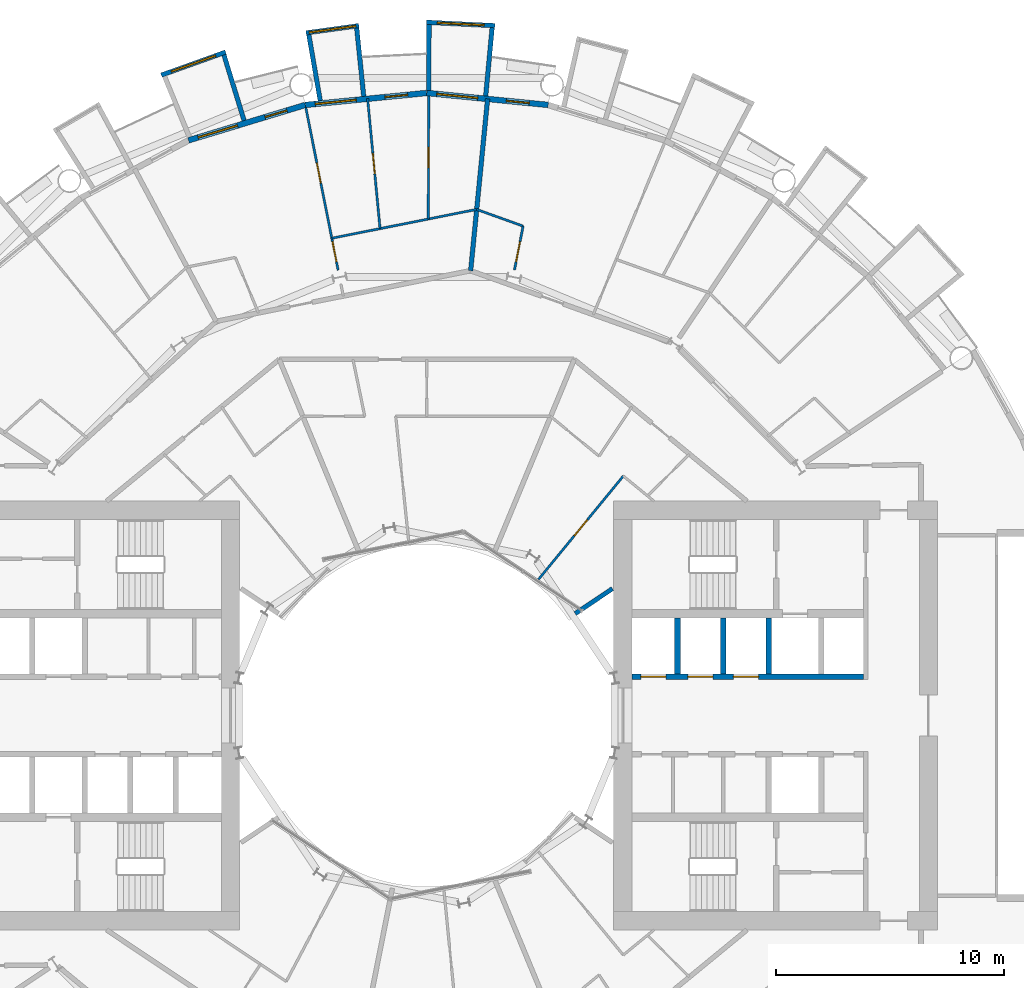
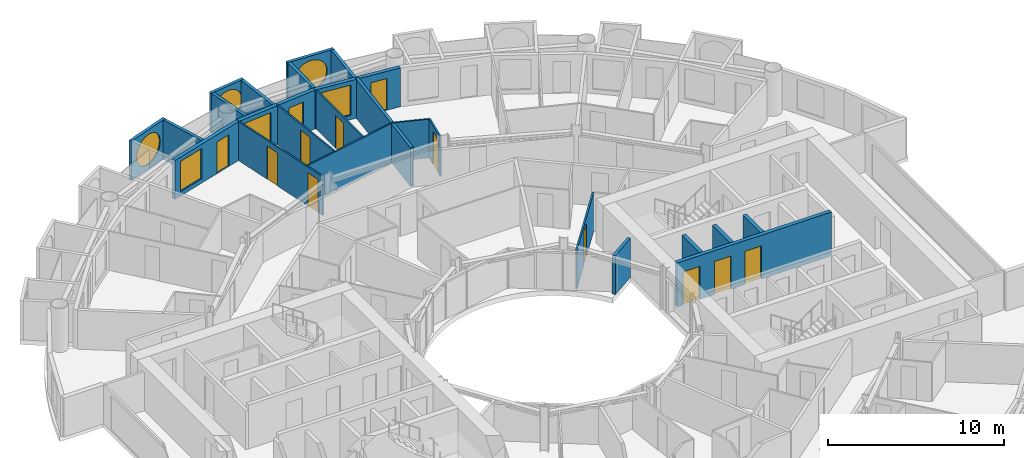
# One storey, part 20 of 26: 24 walls, 12 doors, 6 windows, 18 openings.
"""IFC4 building model written with IfcOpenShell, lengths in metres."""

from ifc_helpers import new_model, si_unit, direction, frame, frame_2d, origin, place, context, subcontext, project, spatial, rectangle, circle, extrude, material, layer, layer_set, type_object, element, fill, save


model = new_model("IFC4")

# Units and contexts
model_context = context("Model", 3, precision=1e-05, world=origin(), true_north=direction((0.0, 1.0)))
body_context = subcontext(model_context, "Body", "Model", "MODEL_VIEW")
ifc_project = project(units=[si_unit("LENGTHUNIT", "METRE"), si_unit("AREAUNIT", "SQUARE_METRE"), si_unit("VOLUMEUNIT", "CUBIC_METRE"), si_unit("PLANEANGLEUNIT", "RADIAN"), si_unit("MASSUNIT", "GRAM", prefix="KILO")], contexts=[model_context])

# Site, building, storey
site_placement = place(None, origin())
site = spatial("IfcSite", under=ifc_project, at=site_placement, CompositionType="ELEMENT")
building_placement = place(site_placement, origin())
building = spatial("IfcBuilding", under=site, at=building_placement, Name="Maasbend Ring Residences", CompositionType="ELEMENT")
storey_placement = place(building_placement, frame((0.0, 0.0, 38.050048828125)))
storey = spatial("IfcBuildingStorey", under=building, at=storey_placement, Name="L10", CompositionType="ELEMENT", Elevation=38.050048828125)

# Wall, openings, doors
ifc_material_1 = material(Name="Concrete C70/85", Category="concrete")
ifc_layer_1 = layer(ifc_material_1, 0.25)
ifc_layer_set_1 = layer_set([ifc_layer_1], Name="Concrete C70/85")
wall_type_1 = type_object("IfcWallType", Name="CORE WALL 250 C70/85", PredefinedType="SHEAR", material=ifc_layer_set_1)
wall_1_placement = place(storey_placement, frame((9.0, 1.699951171875, 0.0), z_axis=(0.0, 0.0, 1.0), x_axis=(1.0, 0.0, 0.0)))
wall_1 = element("IfcWall", 1, at=wall_1_placement, inside=storey, type_object=wall_type_1, Name="L10 core E wall SPN", PredefinedType="SHEAR", context=body_context, shape_type="SweptSolid", body=[
    extrude(rectangle(XDim=10.14990234375, YDim=0.25, at=frame_2d((5.074951171875, 0.0))), origin(), (0.0, 0.0, 1.0), 3.050048828125),
])
opening_1_placement = place(wall_1_placement, frame((0.387451171875, 0.0, 0.0)))
opening_1 = element("IfcOpeningElement", 2, at=opening_1_placement, cuts=wall_1, Name="Opening LD-E1001", PredefinedType="OPENING", context=body_context, shape_type="SweptSolid", body=[
    extrude(rectangle(XDim=1.10009765625, YDim=2.300048828125, at=frame_2d((0.550048828125, 1.14990234375))), frame((0.0, 0.135009765625, 0.0), z_axis=(0.0, -1.0, 0.0), x_axis=(1.0, 0.0, 0.0)), (0.0, 0.0, 1.0), 0.27001953125),
])
opening_2_placement = place(wall_1_placement, frame((2.449951171875, 0.0, 0.0)))
opening_2 = element("IfcOpeningElement", 3, at=opening_2_placement, cuts=wall_1, Name="Opening LD-E1002", PredefinedType="OPENING", context=body_context, shape_type="SweptSolid", body=[
    extrude(rectangle(XDim=1.10009765625, YDim=2.300048828125, at=frame_2d((0.550048828125, 1.14990234375))), frame((0.0, 0.135009765625, 0.0), z_axis=(0.0, -1.0, 0.0), x_axis=(1.0, 0.0, 0.0)), (0.0, 0.0, 1.0), 0.27001953125),
])
opening_3_placement = place(wall_1_placement, frame((4.449951171875, 0.0, 0.0)))
opening_3 = element("IfcOpeningElement", 4, at=opening_3_placement, cuts=wall_1, Name="Opening LD-E1003", PredefinedType="OPENING", context=body_context, shape_type="SweptSolid", body=[
    extrude(rectangle(XDim=1.10009765625, YDim=2.300048828125, at=frame_2d((0.550048828125, 1.14990234375))), frame((0.0, 0.135009765625, 0.0), z_axis=(0.0, -1.0, 0.0), x_axis=(1.0, 0.0, 0.0)), (0.0, 0.0, 1.0), 0.27001953125),
])
ifc_material_2 = material(Name="Stainless steel 316", Category="steel")
door_type_1 = type_object("IfcDoorType", Name="LANDING DOOR 1100 X 2300 FD60", OperationType="DOUBLE_DOOR_SLIDING", PredefinedType="DOOR", material=ifc_material_2)
door_1_placement = place(opening_1_placement, origin())
door_1 = element("IfcDoor", 5, at=door_1_placement, inside=storey, type_object=door_type_1, Name="Landing door LR-E1 L10", OperationType="DOUBLE_DOOR_SLIDING", OverallHeight=2.300048828125, OverallWidth=1.10009765625, PredefinedType="DOOR", context=body_context, shape_type="SweptSolid", body=[
    extrude(rectangle(XDim=1.10009765625, YDim=2.300048828125, at=frame_2d((0.550048828125, 1.14990234375))), frame((0.0, 0.02490234375, 0.0), z_axis=(0.0, -1.0, 0.0), x_axis=(1.0, 0.0, 0.0)), (0.0, 0.0, 1.0), 0.050048828125),
])
fill(opening_1, door_1)
door_2_placement = place(opening_2_placement, origin())
door_2 = element("IfcDoor", 6, at=door_2_placement, inside=storey, type_object=door_type_1, Name="Landing door LR-E2 L10", OperationType="DOUBLE_DOOR_SLIDING", OverallHeight=2.300048828125, OverallWidth=1.10009765625, PredefinedType="DOOR", context=body_context, shape_type="SweptSolid", body=[
    extrude(rectangle(XDim=1.10009765625, YDim=2.300048828125, at=frame_2d((0.550048828125, 1.14990234375))), frame((0.0, 0.02490234375, 0.0), z_axis=(0.0, -1.0, 0.0), x_axis=(1.0, 0.0, 0.0)), (0.0, 0.0, 1.0), 0.050048828125),
])
fill(opening_2, door_2)
door_3_placement = place(opening_3_placement, origin())
door_3 = element("IfcDoor", 7, at=door_3_placement, inside=storey, type_object=door_type_1, Name="Landing door LR-E3 L10", OperationType="DOUBLE_DOOR_SLIDING", OverallHeight=2.300048828125, OverallWidth=1.10009765625, PredefinedType="DOOR", context=body_context, shape_type="SweptSolid", body=[
    extrude(rectangle(XDim=1.10009765625, YDim=2.300048828125, at=frame_2d((0.550048828125, 1.14990234375))), frame((0.0, 0.02490234375, 0.0), z_axis=(0.0, -1.0, 0.0), x_axis=(1.0, 0.0, 0.0)), (0.0, 0.0, 1.0), 0.050048828125),
])
fill(opening_3, door_3)

# Wall, opening, window
ifc_material_3 = material(Name="Pale anodised aluminium panel", Category="aluminium")
ifc_layer_2 = layer(ifc_material_3, 0.199951171875)
ifc_layer_set_2 = layer_set([ifc_layer_2], Name="EW-BOX")
wall_type_2 = type_object("IfcWallType", Name="EW-BOX", PredefinedType="SOLIDWALL", material=ifc_layer_set_2)
wall_2_placement = place(storey_placement, frame((2.985107421875, 30.2529296875, -0.030029296875), z_axis=(0.0, 0.0, 1.0), x_axis=(-0.998794083011, 0.049095618353, 0.0)))
wall_2 = element("IfcWall", 8, at=wall_2_placement, inside=storey, type_object=wall_type_2, Name="Box front N10", PredefinedType="SOLIDWALL", context=body_context, shape_type="SweptSolid", body=[
    extrude(rectangle(XDim=2.99365234375, YDim=0.199951171875, at=frame_2d((1.496826171875, 0.0))), origin(), (0.0, 0.0, 1.0), 2.72998046875),
])
opening_4_placement = place(wall_2_placement, frame((0.45654296875, 0.0, 0.330078125)))
opening_4 = element("IfcOpeningElement", 9, at=opening_4_placement, cuts=wall_2, Name="Opening W-RD", PredefinedType="OPENING", context=body_context, shape_type="SweptSolid", body=[
    extrude(circle(Radius=1.0400390625, at=frame_2d((1.0400390625, 1.0400390625))), frame((0.0, 0.10986328125, 0.0), z_axis=(0.0, -1.0, 0.0), x_axis=(1.0, 0.0, 0.0)), (0.0, 0.0, 1.0), 0.219970703125),
])
ifc_material_4 = material(Name="Aluminium and clear glass", Category="aluminium")
window_type_1 = type_object("IfcWindowType", Name="W-RD", PartitioningType="SINGLE_PANEL", PredefinedType="WINDOW", material=ifc_material_4)
window_1_placement = place(opening_4_placement, origin())
window_1 = element("IfcWindow", 10, at=window_1_placement, inside=storey, type_object=window_type_1, Name="Round window N10", OverallHeight=2.080078125, OverallWidth=2.080078125, PartitioningType="SINGLE_PANEL", PredefinedType="WINDOW", context=body_context, shape_type="SweptSolid", body=[
    extrude(circle(Radius=1.0400390625, at=frame_2d((1.0400390625, 1.0400390625))), frame((0.0, 0.030029296875, 0.0), z_axis=(0.0, -1.0, 0.0), x_axis=(1.0, 0.0, 0.0)), (0.0, 0.0, 1.0), 0.06005859375),
])
fill(opening_4, window_1)

# Walls
wall_3_placement = place(storey_placement, frame((2.5859375, 27.1708984375, -0.030029296875), z_axis=(0.0, 0.0, 1.0), x_axis=(0.094548432284, 0.995520262954, 0.0)))
element("IfcWall", 11, at=wall_3_placement, inside=storey, type_object=wall_type_2, Name="Box side wall N10 left", PredefinedType="SOLIDWALL", context=body_context, shape_type="SweptSolid", body=[
    extrude(rectangle(XDim=3.005615234375, YDim=0.199951171875, at=frame_2d((1.5029296875, 0.0))), origin(), (0.0, 0.0, 1.0), 2.72998046875),
])
wall_4_placement = place(storey_placement, frame((0.090087890625, 27.4169921875, -0.030029296875), z_axis=(0.0, 0.0, 1.0), x_axis=(0.00347308367, 0.999993968827, 0.0)))
element("IfcWall", 12, at=wall_4_placement, inside=storey, type_object=wall_type_2, Name="Box side wall N10 right", PredefinedType="SOLIDWALL", context=body_context, shape_type="SweptSolid", body=[
    extrude(rectangle(XDim=2.882080078125, YDim=0.199951171875, at=frame_2d((1.44091796875, 0.0))), origin(), (0.0, 0.0, 1.0), 2.72998046875),
])

# Wall, opening, window
wall_5_placement = place(storey_placement, frame((-2.97607421875, 30.25390625, -0.030029296875), z_axis=(0.0, 0.0, 1.0), x_axis=(-0.990696111261, -0.136092671119, 0.0)))
wall_5 = element("IfcWall", 13, at=wall_5_placement, inside=storey, type_object=wall_type_2, Name="Box front N12", PredefinedType="SOLIDWALL", context=body_context, shape_type="SweptSolid", body=[
    extrude(rectangle(XDim=2.335693359375, YDim=0.199951171875, at=frame_2d((1.16796875, 0.0))), origin(), (0.0, 0.0, 1.0), 2.72998046875),
])
opening_5_placement = place(wall_5_placement, frame((0.128173828125, 0.0, 0.330078125)))
opening_5 = element("IfcOpeningElement", 14, at=opening_5_placement, cuts=wall_5, Name="Opening W-RD", PredefinedType="OPENING", context=body_context, shape_type="SweptSolid", body=[
    extrude(circle(Radius=1.0400390625, at=frame_2d((1.0400390625, 1.0400390625))), frame((0.0, 0.10986328125, 0.0), z_axis=(0.0, -1.0, 0.0), x_axis=(1.0, 0.0, 0.0)), (0.0, 0.0, 1.0), 0.219970703125),
])
window_2_placement = place(opening_5_placement, origin())
window_2 = element("IfcWindow", 15, at=window_2_placement, inside=storey, type_object=window_type_1, Name="Round window N12", OverallHeight=2.080078125, OverallWidth=2.080078125, PartitioningType="SINGLE_PANEL", PredefinedType="WINDOW", context=body_context, shape_type="SweptSolid", body=[
    extrude(circle(Radius=1.0400390625, at=frame_2d((1.0400390625, 1.0400390625))), frame((0.0, 0.030029296875, 0.0), z_axis=(0.0, -1.0, 0.0), x_axis=(1.0, 0.0, 0.0)), (0.0, 0.0, 1.0), 0.06005859375),
])
fill(opening_5, window_2)

# Walls
wall_6_placement = place(storey_placement, frame((-2.763916015625, 27.153076171875, -0.030029296875), z_axis=(0.0, 0.0, 1.0), x_axis=(-0.101505487237, 0.994834979311, 0.0)))
element("IfcWall", 16, at=wall_6_placement, inside=storey, type_object=wall_type_2, Name="Box side wall N12 left", PredefinedType="SOLIDWALL", context=body_context, shape_type="SweptSolid", body=[
    extrude(rectangle(XDim=3.006591796875, YDim=0.199951171875, at=frame_2d((1.50341796875, 0.0))), origin(), (0.0, 0.0, 1.0), 2.72998046875),
])
wall_7_placement = place(storey_placement, frame((-4.6708984375, 26.966064453125, -0.030029296875), z_axis=(0.0, 0.0, 1.0), x_axis=(-0.170539878907, 0.985350774954, 0.0)))
element("IfcWall", 17, at=wall_7_placement, inside=storey, type_object=wall_type_2, Name="Box side wall N12 right", PredefinedType="SOLIDWALL", context=body_context, shape_type="SweptSolid", body=[
    extrude(rectangle(XDim=2.931884765625, YDim=0.199951171875, at=frame_2d((1.4658203125, 0.0))), origin(), (0.0, 0.0, 1.0), 2.72998046875),
])

# Wall, opening, window
wall_8_placement = place(storey_placement, frame((-8.820068359375, 29.093017578125, -0.030029296875), z_axis=(0.0, 0.0, 1.0), x_axis=(-0.941461077774, -0.337121697664, 0.0)))
wall_8 = element("IfcWall", 18, at=wall_8_placement, inside=storey, type_object=wall_type_2, Name="Box front N14", PredefinedType="SOLIDWALL", context=body_context, shape_type="SweptSolid", body=[
    extrude(rectangle(XDim=2.9931640625, YDim=0.199951171875, at=frame_2d((1.49658203125, 0.0))), origin(), (0.0, 0.0, 1.0), 2.72998046875),
])
opening_6_placement = place(wall_8_placement, frame((0.45654296875, 0.0, 0.330078125)))
opening_6 = element("IfcOpeningElement", 19, at=opening_6_placement, cuts=wall_8, Name="Opening W-RD", PredefinedType="OPENING", context=body_context, shape_type="SweptSolid", body=[
    extrude(circle(Radius=1.0400390625, at=frame_2d((1.0400390625, 1.0400390625))), frame((0.0, 0.10986328125, 0.0), z_axis=(0.0, -1.0, 0.0), x_axis=(1.0, 0.0, 0.0)), (0.0, 0.0, 1.0), 0.219970703125),
])
window_3_placement = place(opening_6_placement, origin())
window_3 = element("IfcWindow", 20, at=window_3_placement, inside=storey, type_object=window_type_1, Name="Round window N14", OverallHeight=2.080078125, OverallWidth=2.080078125, PartitioningType="SINGLE_PANEL", PredefinedType="WINDOW", context=body_context, shape_type="SweptSolid", body=[
    extrude(circle(Radius=1.0400390625, at=frame_2d((1.0400390625, 1.0400390625))), frame((0.0, 0.030029296875, 0.0), z_axis=(0.0, -1.0, 0.0), x_axis=(1.0, 0.0, 0.0)), (0.0, 0.0, 1.0), 0.06005859375),
])
fill(opening_6, window_3)

# Wall
wall_9_placement = place(storey_placement, frame((-8.009033203125, 26.092041015625, -0.030029296875), z_axis=(0.0, 0.0, 1.0), x_axis=(-0.293406695073, 0.955987715029, 0.0)))
element("IfcWall", 21, at=wall_9_placement, inside=storey, type_object=wall_type_2, Name="Box side wall N14 left", PredefinedType="SOLIDWALL", context=body_context, shape_type="SweptSolid", body=[
    extrude(rectangle(XDim=3.00634765625, YDim=0.199951171875, at=frame_2d((1.503173828125, 0.0))), origin(), (0.0, 0.0, 1.0), 2.72998046875),
])

# Wall, openings, door, window
ifc_material_5 = material(Name="Aluminium clad insulated panel", Category="aluminium")
ifc_layer_3 = layer(ifc_material_5, 0.25)
ifc_layer_set_3 = layer_set([ifc_layer_3], Name="EW-GL")
wall_type_3 = type_object("IfcWallType", Name="EW-GL", PredefinedType="SOLIDWALL", material=ifc_layer_set_3)
wall_10_placement = place(storey_placement, frame((5.325927734375, 26.77490234375, 0.0), z_axis=(0.0, 0.0, 1.0), x_axis=(-0.995173996315, 0.098126026407, 0.0)))
wall_10 = element("IfcWall", 22, at=wall_10_placement, inside=storey, type_object=wall_type_3, Name="External wall N05", PredefinedType="SOLIDWALL", context=body_context, shape_type="SweptSolid", body=[
    extrude(rectangle(XDim=5.351806640625, YDim=0.25, at=frame_2d((2.67578125, 0.0))), origin(), (0.0, 0.0, 1.0), 2.699951171875),
])
opening_7_placement = place(wall_10_placement, frame((0.841064453125, 0.0, 0.0)))
opening_7 = element("IfcOpeningElement", 23, at=opening_7_placement, cuts=wall_10, Name="Opening D-LG", PredefinedType="OPENING", context=body_context, shape_type="SweptSolid", body=[
    extrude(rectangle(XDim=1.0, YDim=2.199951171875, at=frame_2d((0.5, 1.10009765625))), frame((0.0, 0.135009765625, 0.0), z_axis=(0.0, -1.0, 0.0), x_axis=(1.0, 0.0, 0.0)), (0.0, 0.0, 1.0), 0.27001953125),
])
opening_8_placement = place(wall_10_placement, frame((3.110595703125, 0.0, 0.300048828125)))
opening_8 = element("IfcOpeningElement", 24, at=opening_8_placement, cuts=wall_10, Name="Opening W-BX", PredefinedType="OPENING", context=body_context, shape_type="SweptSolid", body=[
    extrude(rectangle(XDim=1.800048828125, YDim=2.10009765625, at=frame_2d((0.89990234375, 1.050048828125))), frame((0.0, 0.135009765625, 0.0), z_axis=(0.0, -1.0, 0.0), x_axis=(1.0, 0.0, 0.0)), (0.0, 0.0, 1.0), 0.27001953125),
])
ifc_material_6 = material(Name="Aluminium and clear glass", Category="aluminium")
door_type_2 = type_object("IfcDoorType", Name="D-LG", OperationType="SINGLE_SWING_LEFT", PredefinedType="DOOR", material=ifc_material_6)
door_4_placement = place(opening_7_placement, origin())
door_4 = element("IfcDoor", 25, at=door_4_placement, inside=storey, type_object=door_type_2, Name="Loggia door N09", OperationType="SINGLE_SWING_LEFT", OverallHeight=2.199951171875, OverallWidth=1.0, PredefinedType="DOOR", context=body_context, shape_type="SweptSolid", body=[
    extrude(rectangle(XDim=1.0, YDim=2.199951171875, at=frame_2d((0.5, 1.10009765625))), frame((0.0, 0.02490234375, 0.0), z_axis=(0.0, -1.0, 0.0), x_axis=(1.0, 0.0, 0.0)), (0.0, 0.0, 1.0), 0.050048828125),
])
fill(opening_7, door_4)
ifc_material_7 = material(Name="Aluminium and clear glass", Category="aluminium")
window_type_2 = type_object("IfcWindowType", Name="W-BX", PartitioningType="DOUBLE_PANEL_VERTICAL", PredefinedType="WINDOW", material=ifc_material_7)
window_4_placement = place(opening_8_placement, origin())
window_4 = element("IfcWindow", 26, at=window_4_placement, inside=storey, type_object=window_type_2, Name="Window N10 room to box", OverallHeight=2.10009765625, OverallWidth=1.800048828125, PartitioningType="SINGLE_PANEL", PredefinedType="WINDOW", context=body_context, shape_type="SweptSolid", body=[
    extrude(rectangle(XDim=1.800048828125, YDim=2.10009765625, at=frame_2d((0.89990234375, 1.050048828125))), frame((0.0, 0.030029296875, 0.0), z_axis=(0.0, -1.0, 0.0), x_axis=(1.0, 0.0, 0.0)), (0.0, 0.0, 1.0), 0.06005859375),
])
fill(opening_8, window_4)

wall_11_placement = place(storey_placement, frame((0.0, 27.300048828125, 0.0), z_axis=(0.0, 0.0, 1.0), x_axis=(-0.995173996315, -0.098126026407, 0.0)))
wall_11 = element("IfcWall", 27, at=wall_11_placement, inside=storey, type_object=wall_type_3, Name="External wall N06", PredefinedType="SOLIDWALL", context=body_context, shape_type="SweptSolid", body=[
    extrude(rectangle(XDim=5.351806640625, YDim=0.25, at=frame_2d((2.67578125, 0.0))), origin(), (0.0, 0.0, 1.0), 2.699951171875),
])
opening_9_placement = place(wall_11_placement, frame((0.841064453125, 0.0, 0.0)))
opening_9 = element("IfcOpeningElement", 28, at=opening_9_placement, cuts=wall_11, Name="Opening D-LG", PredefinedType="OPENING", context=body_context, shape_type="SweptSolid", body=[
    extrude(rectangle(XDim=1.0, YDim=2.199951171875, at=frame_2d((0.5, 1.10009765625))), frame((0.0, 0.135009765625, 0.0), z_axis=(0.0, -1.0, 0.0), x_axis=(1.0, 0.0, 0.0)), (0.0, 0.0, 1.0), 0.27001953125),
])
opening_10_placement = place(wall_11_placement, frame((3.110595703125, 0.0, 0.300048828125)))
opening_10 = element("IfcOpeningElement", 29, at=opening_10_placement, cuts=wall_11, Name="Opening W-BX", PredefinedType="OPENING", context=body_context, shape_type="SweptSolid", body=[
    extrude(rectangle(XDim=1.800048828125, YDim=2.10009765625, at=frame_2d((0.89990234375, 1.050048828125))), frame((0.0, 0.135009765625, 0.0), z_axis=(0.0, -1.0, 0.0), x_axis=(1.0, 0.0, 0.0)), (0.0, 0.0, 1.0), 0.27001953125),
])
door_5_placement = place(opening_9_placement, origin())
door_5 = element("IfcDoor", 30, at=door_5_placement, inside=storey, type_object=door_type_2, Name="Loggia door N11", OperationType="SINGLE_SWING_LEFT", OverallHeight=2.199951171875, OverallWidth=1.0, PredefinedType="DOOR", context=body_context, shape_type="SweptSolid", body=[
    extrude(rectangle(XDim=1.0, YDim=2.199951171875, at=frame_2d((0.5, 1.10009765625))), frame((0.0, 0.02490234375, 0.0), z_axis=(0.0, -1.0, 0.0), x_axis=(1.0, 0.0, 0.0)), (0.0, 0.0, 1.0), 0.050048828125),
])
fill(opening_9, door_5)
window_5_placement = place(opening_10_placement, origin())
window_5 = element("IfcWindow", 31, at=window_5_placement, inside=storey, type_object=window_type_2, Name="Window N12 room to box", OverallHeight=2.10009765625, OverallWidth=1.800048828125, PartitioningType="SINGLE_PANEL", PredefinedType="WINDOW", context=body_context, shape_type="SweptSolid", body=[
    extrude(rectangle(XDim=1.800048828125, YDim=2.10009765625, at=frame_2d((0.89990234375, 1.050048828125))), frame((0.0, 0.030029296875, 0.0), z_axis=(0.0, -1.0, 0.0), x_axis=(1.0, 0.0, 0.0)), (0.0, 0.0, 1.0), 0.06005859375),
])
fill(opening_10, window_5)

wall_12_placement = place(storey_placement, frame((-5.325927734375, 26.77490234375, 0.0), z_axis=(0.0, 0.0, 1.0), x_axis=(-0.956965678721, -0.290201119486, 0.0)))
wall_12 = element("IfcWall", 32, at=wall_12_placement, inside=storey, type_object=wall_type_3, Name="External wall N07", PredefinedType="SOLIDWALL", context=body_context, shape_type="SweptSolid", body=[
    extrude(rectangle(XDim=5.351318359375, YDim=0.25, at=frame_2d((2.67578125, 0.0))), origin(), (0.0, 0.0, 1.0), 2.699951171875),
])
opening_11_placement = place(wall_12_placement, frame((0.841064453125, 0.0, 0.0)))
opening_11 = element("IfcOpeningElement", 33, at=opening_11_placement, cuts=wall_12, Name="Opening D-LG", PredefinedType="OPENING", context=body_context, shape_type="SweptSolid", body=[
    extrude(rectangle(XDim=1.0, YDim=2.199951171875, at=frame_2d((0.5, 1.10009765625))), frame((0.0, 0.135009765625, 0.0), z_axis=(0.0, -1.0, 0.0), x_axis=(1.0, 0.0, 0.0)), (0.0, 0.0, 1.0), 0.27001953125),
])
opening_12_placement = place(wall_12_placement, frame((3.110595703125, 0.0, 0.300048828125)))
opening_12 = element("IfcOpeningElement", 34, at=opening_12_placement, cuts=wall_12, Name="Opening W-BX", PredefinedType="OPENING", context=body_context, shape_type="SweptSolid", body=[
    extrude(rectangle(XDim=1.800048828125, YDim=2.10009765625, at=frame_2d((0.89990234375, 1.050048828125))), frame((0.0, 0.135009765625, 0.0), z_axis=(0.0, -1.0, 0.0), x_axis=(1.0, 0.0, 0.0)), (0.0, 0.0, 1.0), 0.27001953125),
])
door_6_placement = place(opening_11_placement, origin())
door_6 = element("IfcDoor", 35, at=door_6_placement, inside=storey, type_object=door_type_2, Name="Loggia door N13", OperationType="SINGLE_SWING_LEFT", OverallHeight=2.199951171875, OverallWidth=1.0, PredefinedType="DOOR", context=body_context, shape_type="SweptSolid", body=[
    extrude(rectangle(XDim=1.0, YDim=2.199951171875, at=frame_2d((0.5, 1.10009765625))), frame((0.0, 0.02490234375, 0.0), z_axis=(0.0, -1.0, 0.0), x_axis=(1.0, 0.0, 0.0)), (0.0, 0.0, 1.0), 0.050048828125),
])
fill(opening_11, door_6)
window_6_placement = place(opening_12_placement, origin())
window_6 = element("IfcWindow", 36, at=window_6_placement, inside=storey, type_object=window_type_2, Name="Window N14 room to box", OverallHeight=2.10009765625, OverallWidth=1.800048828125, PartitioningType="SINGLE_PANEL", PredefinedType="WINDOW", context=body_context, shape_type="SweptSolid", body=[
    extrude(rectangle(XDim=1.800048828125, YDim=2.10009765625, at=frame_2d((0.89990234375, 1.050048828125))), frame((0.0, 0.030029296875, 0.0), z_axis=(0.0, -1.0, 0.0), x_axis=(1.0, 0.0, 0.0)), (0.0, 0.0, 1.0), 0.06005859375),
])
fill(opening_12, window_6)

# Wall, openings, doors
ifc_material_8 = material(Name="Gypsum board on steel studs", Category="steel")
ifc_layer_4 = layer(ifc_material_8, 0.10009765625)
ifc_layer_set_4 = layer_set([ifc_layer_4], Name="PARTITION 100 GYPSUM")
wall_type_4 = type_object("IfcWallType", Name="PARTITION 100 GYPSUM", PredefinedType="PARTITIONING", material=ifc_layer_set_4)
wall_13_placement = place(storey_placement, frame((-5.301025390625, 26.653076171875, 0.0), z_axis=(0.0, 0.0, 1.0), x_axis=(0.19503038749, -0.980797200218, 0.0)))
wall_13 = element("IfcWall", 37, at=wall_13_placement, inside=storey, type_object=wall_type_4, Name="U-L10-w050", PredefinedType="PARTITIONING", context=body_context, shape_type="SweptSolid", body=[
    extrude(rectangle(XDim=7.265380859375, YDim=0.10009765625, at=frame_2d((3.6328125, 0.0))), origin(), (0.0, 0.0, 1.0), 2.699951171875),
])
opening_13_placement = place(wall_13_placement, frame((5.985107421875, 0.0, 0.0)))
opening_13 = element("IfcOpeningElement", 38, at=opening_13_placement, cuts=wall_13, Name="Opening D-1012", PredefinedType="OPENING", context=body_context, shape_type="SweptSolid", body=[
    extrude(rectangle(XDim=0.89990234375, YDim=2.300048828125, at=frame_2d((0.449951171875, 1.14990234375))), frame((0.0, 0.06005859375, 0.0), z_axis=(0.0, -1.0, 0.0), x_axis=(1.0, 0.0, 0.0)), (0.0, 0.0, 1.0), 0.1201171875),
])
opening_14_placement = place(wall_13_placement, frame((2.467041015625, 0.0, 0.0)))
opening_14 = element("IfcOpeningElement", 39, at=opening_14_placement, cuts=wall_13, Name="Opening D-1013", PredefinedType="OPENING", context=body_context, shape_type="SweptSolid", body=[
    extrude(rectangle(XDim=0.89990234375, YDim=2.300048828125, at=frame_2d((0.449951171875, 1.14990234375))), frame((0.0, 0.06005859375, 0.0), z_axis=(0.0, -1.0, 0.0), x_axis=(1.0, 0.0, 0.0)), (0.0, 0.0, 1.0), 0.1201171875),
])
ifc_material_9 = material(Name="Timber, painted", Category="wood")
door_type_3 = type_object("IfcDoorType", Name="INTERNAL DOOR 900 X 2300", OperationType="NOTDEFINED", PredefinedType="DOOR", material=ifc_material_9)
door_7_placement = place(opening_13_placement, origin())
door_7 = element("IfcDoor", 40, at=door_7_placement, inside=storey, type_object=door_type_3, Name="D-1012", OperationType="SINGLE_SWING_RIGHT", OverallHeight=2.300048828125, OverallWidth=0.89990234375, PredefinedType="DOOR", context=body_context, shape_type="SweptSolid", body=[
    extrude(rectangle(XDim=0.89990234375, YDim=2.300048828125, at=frame_2d((0.449951171875, 1.14990234375))), frame((0.0, 0.02490234375, 0.0), z_axis=(0.0, -1.0, 0.0), x_axis=(1.0, 0.0, 0.0)), (0.0, 0.0, 1.0), 0.050048828125),
])
fill(opening_13, door_7)
door_8_placement = place(opening_14_placement, origin())
door_8 = element("IfcDoor", 41, at=door_8_placement, inside=storey, type_object=door_type_3, Name="D-1013", OperationType="SINGLE_SWING_LEFT", OverallHeight=2.300048828125, OverallWidth=0.89990234375, PredefinedType="DOOR", context=body_context, shape_type="SweptSolid", body=[
    extrude(rectangle(XDim=0.89990234375, YDim=2.300048828125, at=frame_2d((0.449951171875, 1.14990234375))), frame((0.0, 0.02490234375, 0.0), z_axis=(0.0, -1.0, 0.0), x_axis=(1.0, 0.0, 0.0)), (0.0, 0.0, 1.0), 0.050048828125),
])
fill(opening_14, door_8)

# Wall, opening, door
wall_14_placement = place(storey_placement, frame((-2.593017578125, 27.051025390625, 0.0), z_axis=(0.0, 0.0, 1.0), x_axis=(0.095336244636, -0.995445126794, 0.0)))
wall_14 = element("IfcWall", 42, at=wall_14_placement, inside=storey, type_object=wall_type_4, Name="U-L10-w056", PredefinedType="PARTITIONING", context=body_context, shape_type="SweptSolid", body=[
    extrude(rectangle(XDim=5.72607421875, YDim=0.10009765625, at=frame_2d((2.863037109375, 0.0))), origin(), (0.0, 0.0, 1.0), 2.699951171875),
])
opening_15_placement = place(wall_14_placement, frame((2.4130859375, 0.0, 0.0)))
opening_15 = element("IfcOpeningElement", 43, at=opening_15_placement, cuts=wall_14, Name="Opening D-1014", PredefinedType="OPENING", context=body_context, shape_type="SweptSolid", body=[
    extrude(rectangle(XDim=0.89990234375, YDim=2.300048828125, at=frame_2d((0.449951171875, 1.14990234375))), frame((0.0, 0.06005859375, 0.0), z_axis=(0.0, -1.0, 0.0), x_axis=(1.0, 0.0, 0.0)), (0.0, 0.0, 1.0), 0.1201171875),
])
door_9_placement = place(opening_15_placement, origin())
door_9 = element("IfcDoor", 44, at=door_9_placement, inside=storey, type_object=door_type_3, Name="D-1014", OperationType="SINGLE_SWING_LEFT", OverallHeight=2.300048828125, OverallWidth=0.89990234375, PredefinedType="DOOR", context=body_context, shape_type="SweptSolid", body=[
    extrude(rectangle(XDim=0.89990234375, YDim=2.300048828125, at=frame_2d((0.449951171875, 1.14990234375))), frame((0.0, 0.02490234375, 0.0), z_axis=(0.0, -1.0, 0.0), x_axis=(1.0, 0.0, 0.0)), (0.0, 0.0, 1.0), 0.050048828125),
])
fill(opening_15, door_9)

wall_15_placement = place(storey_placement, frame((0.069091796875, 21.77197265625, 0.0), z_axis=(0.0, 0.0, 1.0), x_axis=(0.003298522564, 0.99999455986, 0.0)))
wall_15 = element("IfcWall", 45, at=wall_15_placement, inside=storey, type_object=wall_type_4, Name="U-L10-w061", PredefinedType="PARTITIONING", context=body_context, shape_type="SweptSolid", body=[
    extrude(rectangle(XDim=5.403076171875, YDim=0.10009765625, at=frame_2d((2.70166015625, 0.0))), origin(), (0.0, 0.0, 1.0), 2.699951171875),
])
opening_16_placement = place(wall_15_placement, frame((2.251953125, 0.0, 0.0)))
opening_16 = element("IfcOpeningElement", 46, at=opening_16_placement, cuts=wall_15, Name="Opening D-1015", PredefinedType="OPENING", context=body_context, shape_type="SweptSolid", body=[
    extrude(rectangle(XDim=0.89990234375, YDim=2.300048828125, at=frame_2d((0.449951171875, 1.14990234375))), frame((0.0, 0.06005859375, 0.0), z_axis=(0.0, -1.0, 0.0), x_axis=(1.0, 0.0, 0.0)), (0.0, 0.0, 1.0), 0.1201171875),
])
door_10_placement = place(opening_16_placement, origin())
door_10 = element("IfcDoor", 47, at=door_10_placement, inside=storey, type_object=door_type_3, Name="D-1015", OperationType="SINGLE_SWING_LEFT", OverallHeight=2.300048828125, OverallWidth=0.89990234375, PredefinedType="DOOR", context=body_context, shape_type="SweptSolid", body=[
    extrude(rectangle(XDim=0.89990234375, YDim=2.300048828125, at=frame_2d((0.449951171875, 1.14990234375))), frame((0.0, 0.02490234375, 0.0), z_axis=(0.0, -1.0, 0.0), x_axis=(1.0, 0.0, 0.0)), (0.0, 0.0, 1.0), 0.050048828125),
])
fill(opening_16, door_10)

wall_16_placement = place(storey_placement, frame((3.846923828125, 19.534912109375, 0.0), z_axis=(0.0, 0.0, 1.0), x_axis=(0.193055213522, 0.981187894611, 0.0)))
wall_16 = element("IfcWall", 48, at=wall_16_placement, inside=storey, type_object=wall_type_4, Name="U-L10-w068", PredefinedType="PARTITIONING", context=body_context, shape_type="SweptSolid", body=[
    extrude(rectangle(XDim=1.9638671875, YDim=0.10009765625, at=frame_2d((0.98193359375, 0.0))), origin(), (0.0, 0.0, 1.0), 2.699951171875),
])
opening_17_placement = place(wall_16_placement, frame((0.365966796875, 0.0, 0.0)))
opening_17 = element("IfcOpeningElement", 49, at=opening_17_placement, cuts=wall_16, Name="Opening D-1006", PredefinedType="OPENING", context=body_context, shape_type="SweptSolid", body=[
    extrude(rectangle(XDim=0.89990234375, YDim=2.300048828125, at=frame_2d((0.449951171875, 1.14990234375))), frame((0.0, 0.06005859375, 0.0), z_axis=(0.0, -1.0, 0.0), x_axis=(1.0, 0.0, 0.0)), (0.0, 0.0, 1.0), 0.1201171875),
])
door_11_placement = place(opening_17_placement, origin())
door_11 = element("IfcDoor", 50, at=door_11_placement, inside=storey, type_object=door_type_3, Name="D-1006", OperationType="SINGLE_SWING_LEFT", OverallHeight=2.300048828125, OverallWidth=0.89990234375, PredefinedType="DOOR", context=body_context, shape_type="SweptSolid", body=[
    extrude(rectangle(XDim=0.89990234375, YDim=2.300048828125, at=frame_2d((0.449951171875, 1.14990234375))), frame((0.0, 0.02490234375, 0.0), z_axis=(0.0, -1.0, 0.0), x_axis=(1.0, 0.0, 0.0)), (0.0, 0.0, 1.0), 0.050048828125),
])
fill(opening_17, door_11)

wall_17_placement = place(storey_placement, frame((4.89892578125, 5.967041015625, 0.0), z_axis=(0.0, 0.0, 1.0), x_axis=(0.634358693064, 0.773038840249, 0.0)))
wall_17 = element("IfcWall", 51, at=wall_17_placement, inside=storey, type_object=wall_type_4, Name="U-L10-w071", PredefinedType="PARTITIONING", context=body_context, shape_type="SweptSolid", body=[
    extrude(rectangle(XDim=5.86767578125, YDim=0.10009765625, at=frame_2d((2.933837890625, 0.0))), origin(), (0.0, 0.0, 1.0), 2.699951171875),
])
opening_18_placement = place(wall_17_placement, frame((2.48388671875, 0.0, 0.0)))
opening_18 = element("IfcOpeningElement", 52, at=opening_18_placement, cuts=wall_17, Name="Opening D-1024", PredefinedType="OPENING", context=body_context, shape_type="SweptSolid", body=[
    extrude(rectangle(XDim=0.89990234375, YDim=2.300048828125, at=frame_2d((0.449951171875, 1.14990234375))), frame((0.0, 0.06005859375, 0.0), z_axis=(0.0, -1.0, 0.0), x_axis=(1.0, 0.0, 0.0)), (0.0, 0.0, 1.0), 0.1201171875),
])
door_12_placement = place(opening_18_placement, origin())
door_12 = element("IfcDoor", 53, at=door_12_placement, inside=storey, type_object=door_type_3, Name="D-1024", OperationType="SINGLE_SWING_RIGHT", OverallHeight=2.300048828125, OverallWidth=0.89990234375, PredefinedType="DOOR", context=body_context, shape_type="SweptSolid", body=[
    extrude(rectangle(XDim=0.89990234375, YDim=2.300048828125, at=frame_2d((0.449951171875, 1.14990234375))), frame((0.0, 0.02490234375, 0.0), z_axis=(0.0, -1.0, 0.0), x_axis=(1.0, 0.0, 0.0)), (0.0, 0.0, 1.0), 0.050048828125),
])
fill(opening_18, door_12)

# Walls
wall_18_placement = place(storey_placement, frame((-4.1630859375, 20.929931640625, 0.0), z_axis=(0.0, 0.0, 1.0), x_axis=(0.98077745026, 0.195129682675, 0.0)))
element("IfcWall", 54, at=wall_18_placement, inside=storey, type_object=wall_type_4, Name="U-L10-w110", PredefinedType="PARTITIONING", context=body_context, shape_type="SweptSolid", body=[
    extrude(rectangle(XDim=6.4736328125, YDim=0.10009765625, at=frame_2d((3.23681640625, 0.0))), origin(), (0.0, 0.0, 1.0), 2.699951171875),
])
wall_19_placement = place(storey_placement, frame((2.18603515625, 22.193115234375, 0.0), z_axis=(0.0, 0.0, 1.0), x_axis=(0.941358984217, -0.337406672777, 0.0)))
element("IfcWall", 55, at=wall_19_placement, inside=storey, type_object=wall_type_4, Name="U-L10-w113", PredefinedType="PARTITIONING", context=body_context, shape_type="SweptSolid", body=[
    extrude(rectangle(XDim=2.167236328125, YDim=0.10009765625, at=frame_2d((1.08349609375, 0.0))), origin(), (0.0, 0.0, 1.0), 2.699951171875),
])
ifc_material_10 = material(Name="Concrete C30/37", Category="concrete")
ifc_layer_5 = layer(ifc_material_10, 0.199951171875)
ifc_layer_set_5 = layer_set([ifc_layer_5], Name="Concrete C30/37")
wall_type_5 = type_object("IfcWallType", Name="PARTY WALL 200 CONCRETE", PredefinedType="PARTITIONING", material=ifc_layer_set_5)
wall_20_placement = place(storey_placement, frame((1.926025390625, 19.5048828125, 0.0), z_axis=(0.0, 0.0, 1.0), x_axis=(0.098208010272, 0.995165909142, 0.0)))
element("IfcWall", 56, at=wall_20_placement, inside=storey, type_object=wall_type_5, Name="U-L10-w063", PredefinedType="PARTITIONING", context=body_context, shape_type="SweptSolid", body=[
    extrude(rectangle(XDim=7.57470703125, YDim=0.199951171875, at=frame_2d((3.787353515625, 0.0))), origin(), (0.0, 0.0, 1.0), 2.699951171875),
])
wall_21_placement = place(storey_placement, frame((6.512939453125, 4.471923828125, 0.0), z_axis=(0.0, 0.0, 1.0), x_axis=(0.831417956244, 0.555647533996, 0.0)))
element("IfcWall", 57, at=wall_21_placement, inside=storey, type_object=wall_type_5, Name="U-L10-w093", PredefinedType="PARTITIONING", context=body_context, shape_type="SweptSolid", body=[
    extrude(rectangle(XDim=1.9619140625, YDim=0.199951171875, at=frame_2d((0.98095703125, 0.0))), origin(), (0.0, 0.0, 1.0), 2.699951171875),
])
ifc_material_11 = material(Name="Concrete C30/37", Category="concrete")
ifc_layer_6 = layer(ifc_material_11, 0.25)
ifc_layer_set_6 = layer_set([ifc_layer_6], Name="Concrete C30/37")
wall_type_6 = type_object("IfcWallType", Name="SHAFT WALL 250 EI 120", PredefinedType="SOLIDWALL", material=ifc_layer_set_6)
for number, where, z_axis, x_axis, name in (
    (58, (15.0, 1.824951171875, 0.0), (0.0, 0.0, 1.0), (0.0, 1.0, 0.0), "L10 core E wall D150N"),
    (59, (11.0, 1.824951171875, 0.0), (0.0, 0.0, 1.0), (0.0, 1.0, 0.0), "L10 core E wall D110N"),
    (60, (13.0, 1.824951171875, 0.0), (0.0, 0.0, 1.0), (0.0, 1.0, 0.0), "L10 core E wall D130N"),
):
    element("IfcWall", number, at=place(storey_placement, frame(where, z_axis=z_axis, x_axis=x_axis)), inside=storey, type_object=wall_type_6, Name=name, PredefinedType="SOLIDWALL", context=body_context, shape_type="SweptSolid", body=[
        extrude(rectangle(XDim=2.449951171875, YDim=0.25, at=frame_2d((1.22509765625, 0.0))), origin(), (0.0, 0.0, 1.0), 2.699951171875),
    ])

save(model, "model.ifc")
